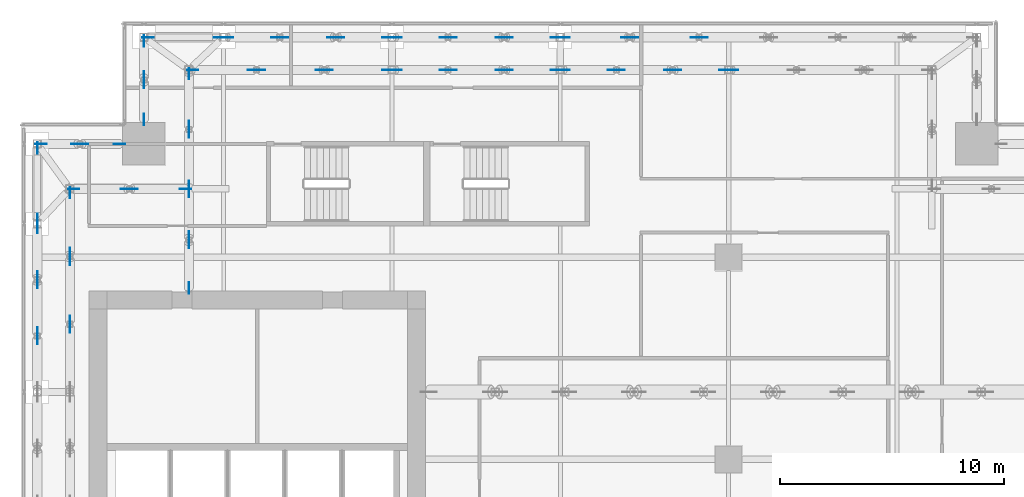
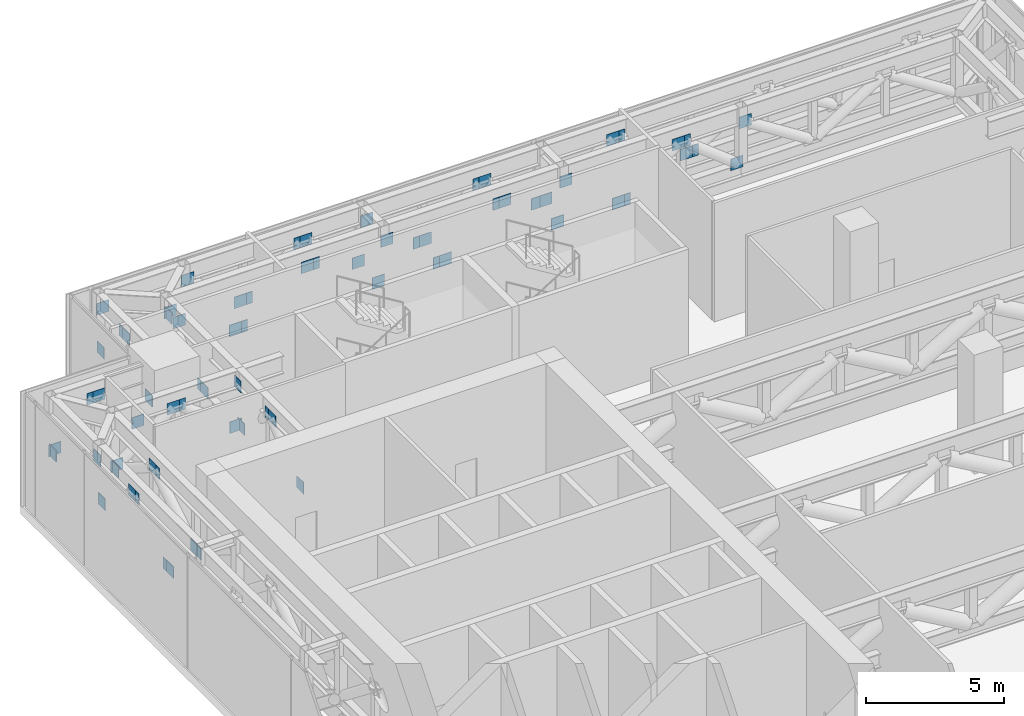
# One storey, part 34 of 36: 70 discrete accessories.
"""IFC4 building model written with IfcOpenShell, lengths in metres."""

from ifc_helpers import new_model, si_unit, direction, frame, origin, origin_2d, place, context, subcontext, project, spatial, rectangle, extrude, source, transform, mapped, material, layer, layer_set, type_object, element, save


model = new_model("IFC4")

# Units and contexts
model_context = context("Model", 3, precision=1e-05, world=origin(), true_north=direction((0.0, 1.0)))
body_context = subcontext(model_context, "Body", "Model", "MODEL_VIEW")
ifc_project = project(units=[si_unit("LENGTHUNIT", "METRE"), si_unit("AREAUNIT", "SQUARE_METRE"), si_unit("VOLUMEUNIT", "CUBIC_METRE"), si_unit("PLANEANGLEUNIT", "RADIAN"), si_unit("MASSUNIT", "GRAM", prefix="KILO")], contexts=[model_context])

# Site, building, storey
site_placement = place(None, origin())
site = spatial("IfcSite", under=ifc_project, at=site_placement, CompositionType="ELEMENT")
building_placement = place(site_placement, origin())
building = spatial("IfcBuilding", under=site, at=building_placement, Name="Khomas Fold Tower", CompositionType="ELEMENT")
storey_placement = place(building_placement, frame((0.0, 0.0, 216.699951171875)))
storey = spatial("IfcBuildingStorey", under=building, at=storey_placement, Name="L48", CompositionType="ELEMENT", Elevation=216.699951171875)

# Discrete accessories
ifc_material = material(Name="Steel S355", Category="steel")
ifc_layer = layer(ifc_material, 0.02490234375)
ifc_layer_set = layer_set([ifc_layer], Name="Steel S355")
discrete_accessory_type = type_object("IfcDiscreteAccessoryType", Name="Gusset plate 25 x 510 GP1", PredefinedType="BRACKET", material=ifc_layer_set)
shared_shape = source(origin(), body_context, "Body", "SweptSolid", [
    extrude(rectangle(XDim=0.510009765625, YDim=0.02490234375, at=origin_2d()), origin(), (0.0, 0.0, 1.0), 0.510009765625),
])
for number, where, z_axis, x_axis, name in (
    (1, (3.699951171875, 36.875, 2.47998046875), (0.0, 0.0, 1.0), (0.0, 1.0, 0.0), "Gusset plate BT3-D"),
    (2, (3.699951171875, 37.125, 2.47998046875), (0.0, 0.0, 1.0), (0.0, 1.0, 0.0), "Gusset plate BT3-D"),
    (3, (3.699951171875, 39.375, 4.2099609375), (0.0, 0.0, 1.0), (0.0, 1.0, 0.0), "Gusset plate BT3-D"),
    (4, (3.699951171875, 39.625, 4.2099609375), (0.0, 0.0, 1.0), (0.0, 1.0, 0.0), "Gusset plate BT3-D"),
    (5, (3.699951171875, 41.824951171875, 2.47998046875), (0.0, 0.0, 1.0), (0.0, 1.0, 0.0), "Gusset plate BT3-D"),
    (6, (3.699951171875, 42.175048828125, 4.2099609375), (0.0, 0.0, 1.0), (0.0, 1.0, 0.0), "Gusset plate BT3-DL"),
    (7, (3.699951171875, 45.375, 2.47998046875), (0.0, 0.0, 1.0), (0.0, 1.0, 0.0), "Gusset plate BT3-DL"),
    (8, (3.875, 45.550048828125, 2.47998046875), (0.0, 0.0, 1.0), (1.0, 0.0, 0.0), "Gusset plate BT3-D"),
    (9, (5.14990234375, 37.3916015625, 2.47998046875), (0.0, 0.0, 1.0), (0.0, 1.0, 0.0), "Gusset plate BT3-D"),
    (10, (5.14990234375, 37.6416015625, 2.47998046875), (0.0, 0.0, 1.0), (0.0, 1.0, 0.0), "Gusset plate BT3-D"),
    (11, (5.14990234375, 40.408447265625, 4.2099609375), (0.0, 0.0, 1.0), (0.0, 1.0, 0.0), "Gusset plate BT3-D"),
    (12, (5.14990234375, 40.658447265625, 4.2099609375), (0.0, 0.0, 1.0), (0.0, 1.0, 0.0), "Gusset plate BT3-D"),
    (13, (5.14990234375, 43.375, 2.47998046875), (0.0, 0.0, 1.0), (0.0, 1.0, 0.0), "Gusset plate BT3-D"),
    (14, (5.324951171875, 43.550048828125, 2.47998046875), (0.0, 0.0, 1.0), (1.0, 0.0, 0.0), "Gusset plate BT3-D"),
    (15, (5.47509765625, 45.550048828125, 4.2099609375), (0.0, 0.0, 1.0), (1.0, 0.0, 0.0), "Gusset plate BT3-D"),
    (16, (5.72509765625, 45.550048828125, 4.2099609375), (0.0, 0.0, 1.0), (1.0, 0.0, 0.0), "Gusset plate BT3-D"),
    (17, (7.358642578125, 45.550048828125, 2.47998046875), (0.0, 0.0, 1.0), (1.0, 0.0, 0.0), "Gusset plate BT3-D"),
    (18, (7.675048828125, 43.550048828125, 4.2099609375), (0.0, 0.0, 1.0), (1.0, 0.0, 0.0), "Gusset plate BT3-D"),
    (19, (7.925048828125, 43.550048828125, 4.2099609375), (0.0, 0.0, 1.0), (1.0, 0.0, 0.0), "Gusset plate BT3-D"),
    (20, (8.449951171875, 46.641357421875, 2.47998046875), (0.0, 0.0, 1.0), (0.0, 1.0, 0.0), "Gusset plate BT3-D"),
    (21, (8.449951171875, 48.27490234375, 4.2099609375), (0.0, 0.0, 1.0), (0.0, 1.0, 0.0), "Gusset plate BT3-D"),
    (22, (8.449951171875, 48.52490234375, 4.2099609375), (0.0, 0.0, 1.0), (0.0, 1.0, 0.0), "Gusset plate BT3-D"),
    (23, (8.449951171875, 50.125, 2.47998046875), (0.0, 0.0, 1.0), (0.0, 1.0, 0.0), "Gusset plate BT3-D"),
    (24, (8.625, 50.300048828125, 4.2099609375), (0.0, 0.0, 1.0), (1.0, 0.0, 0.0), "Gusset plate BT3-DL"),
    (25, (10.300048828125, 43.550048828125, 2.47998046875), (0.0, 0.0, 1.0), (1.0, 0.0, 0.0), "Gusset plate BT3-D"),
    (26, (10.449951171875, 39.126953125, 2.47998046875), (0.0, 0.0, 1.0), (0.0, 1.0, 0.0), "Gusset plate BT3-D"),
    (27, (10.449951171875, 41.14990234375, 4.2099609375), (0.0, 0.0, 1.0), (0.0, 1.0, 0.0), "Gusset plate BT3-D"),
    (28, (10.449951171875, 41.39990234375, 4.2099609375), (0.0, 0.0, 1.0), (0.0, 1.0, 0.0), "Gusset plate BT3-D"),
    (29, (10.449951171875, 43.423095703125, 2.47998046875), (0.0, 0.0, 1.0), (0.0, 1.0, 0.0), "Gusset plate BT3-D"),
    (30, (10.449951171875, 43.664306640625, 4.2099609375), (0.0, 0.0, 1.0), (0.0, 1.0, 0.0), "Gusset plate BT3-D"),
    (31, (10.449951171875, 46.074951171875, 2.47998046875), (0.0, 0.0, 1.0), (0.0, 1.0, 0.0), "Gusset plate BT3-D"),
    (32, (10.449951171875, 46.324951171875, 2.47998046875), (0.0, 0.0, 1.0), (0.0, 1.0, 0.0), "Gusset plate BT3-D"),
    (33, (10.449951171875, 48.675048828125, 4.2099609375), (0.0, 0.0, 1.0), (0.0, 1.0, 0.0), "Gusset plate BT3-D"),
    (34, (10.625, 48.85009765625, 4.2099609375), (0.0, 0.0, 1.0), (1.0, 0.0, 0.0), "Gusset plate BT3-D"),
    (35, (11.824951171875, 50.300048828125, 2.47998046875), (0.0, 0.0, 1.0), (1.0, 0.0, 0.0), "Gusset plate BT3-DL"),
    (36, (12.175048828125, 50.300048828125, 4.2099609375), (0.0, 0.0, 1.0), (1.0, 0.0, 0.0), "Gusset plate BT3-D"),
    (37, (13.341552734375, 48.85009765625, 2.47998046875), (0.0, 0.0, 1.0), (1.0, 0.0, 0.0), "Gusset plate BT3-D"),
    (38, (13.591552734375, 48.85009765625, 2.47998046875), (0.0, 0.0, 1.0), (1.0, 0.0, 0.0), "Gusset plate BT3-D"),
    (39, (14.375, 50.300048828125, 2.47998046875), (0.0, 0.0, 1.0), (1.0, 0.0, 0.0), "Gusset plate BT3-D"),
    (40, (14.625, 50.300048828125, 2.47998046875), (0.0, 0.0, 1.0), (1.0, 0.0, 0.0), "Gusset plate BT3-D"),
    (41, (16.3583984375, 48.85009765625, 4.2099609375), (0.0, 0.0, 1.0), (1.0, 0.0, 0.0), "Gusset plate BT3-D"),
    (42, (16.6083984375, 48.85009765625, 4.2099609375), (0.0, 0.0, 1.0), (1.0, 0.0, 0.0), "Gusset plate BT3-D"),
    (43, (16.875, 50.300048828125, 4.2099609375), (0.0, 0.0, 1.0), (1.0, 0.0, 0.0), "Gusset plate BT3-D"),
    (44, (17.125, 50.300048828125, 4.2099609375), (0.0, 0.0, 1.0), (1.0, 0.0, 0.0), "Gusset plate BT3-D"),
    (45, (19.324951171875, 48.85009765625, 2.47998046875), (0.0, 0.0, 1.0), (1.0, 0.0, 0.0), "Gusset plate BT3-D"),
    (46, (19.324951171875, 50.300048828125, 2.47998046875), (0.0, 0.0, 1.0), (1.0, 0.0, 0.0), "Gusset plate BT3-D"),
    (47, (19.675048828125, 48.85009765625, 4.2099609375), (0.0, 0.0, 1.0), (1.0, 0.0, 0.0), "Gusset plate BT3-D"),
    (48, (19.675048828125, 50.300048828125, 4.2099609375), (0.0, 0.0, 1.0), (1.0, 0.0, 0.0), "Gusset plate BT3-D"),
    (49, (21.875, 48.85009765625, 2.47998046875), (0.0, 0.0, 1.0), (1.0, 0.0, 0.0), "Gusset plate BT3-D"),
    (50, (21.875, 50.300048828125, 2.47998046875), (0.0, 0.0, 1.0), (1.0, 0.0, 0.0), "Gusset plate BT3-D"),
    (51, (22.125, 48.85009765625, 2.47998046875), (0.0, 0.0, 1.0), (1.0, 0.0, 0.0), "Gusset plate BT3-D"),
    (52, (22.125, 50.300048828125, 2.47998046875), (0.0, 0.0, 1.0), (1.0, 0.0, 0.0), "Gusset plate BT3-D"),
    (53, (24.375, 48.85009765625, 4.2099609375), (0.0, 0.0, 1.0), (1.0, 0.0, 0.0), "Gusset plate BT3-D"),
    (54, (24.375, 50.300048828125, 4.2099609375), (0.0, 0.0, 1.0), (1.0, 0.0, 0.0), "Gusset plate BT3-D"),
    (55, (24.625, 48.85009765625, 4.2099609375), (0.0, 0.0, 1.0), (1.0, 0.0, 0.0), "Gusset plate BT3-D"),
    (56, (24.625, 50.300048828125, 4.2099609375), (0.0, 0.0, 1.0), (1.0, 0.0, 0.0), "Gusset plate BT3-D"),
    (57, (26.824951171875, 48.85009765625, 2.47998046875), (0.0, 0.0, 1.0), (1.0, 0.0, 0.0), "Gusset plate BT3-D"),
    (58, (26.824951171875, 50.300048828125, 2.47998046875), (0.0, 0.0, 1.0), (1.0, 0.0, 0.0), "Gusset plate BT3-D"),
    (59, (27.175048828125, 48.85009765625, 4.2099609375), (0.0, 0.0, 1.0), (1.0, 0.0, 0.0), "Gusset plate BT3-D"),
    (60, (27.175048828125, 50.300048828125, 2.47998046875), (0.0, 0.0, 1.0), (1.0, 0.0, 0.0), "Gusset plate BT3-D"),
    (61, (29.375, 48.85009765625, 2.47998046875), (0.0, 0.0, 1.0), (1.0, 0.0, 0.0), "Gusset plate BT3-D"),
    (62, (29.625, 48.85009765625, 2.47998046875), (0.0, 0.0, 1.0), (1.0, 0.0, 0.0), "Gusset plate BT3-D"),
    (63, (29.966552734375, 50.300048828125, 4.2099609375), (0.0, 0.0, 1.0), (1.0, 0.0, 0.0), "Gusset plate BT3-D"),
    (64, (30.216552734375, 50.300048828125, 4.2099609375), (0.0, 0.0, 1.0), (1.0, 0.0, 0.0), "Gusset plate BT3-D"),
    (65, (31.875, 48.85009765625, 4.2099609375), (0.0, 0.0, 1.0), (1.0, 0.0, 0.0), "Gusset plate BT3-D"),
    (66, (32.125, 48.85009765625, 4.2099609375), (0.0, 0.0, 1.0), (1.0, 0.0, 0.0), "Gusset plate BT3-D"),
    (67, (33.058349609375, 50.300048828125, 2.47998046875), (0.0, 0.0, 1.0), (1.0, 0.0, 0.0), "Gusset plate BT3-D"),
    (68, (33.308349609375, 50.300048828125, 2.47998046875), (0.0, 0.0, 1.0), (1.0, 0.0, 0.0), "Gusset plate BT3-D"),
    (69, (34.324951171875, 48.85009765625, 2.47998046875), (0.0, 0.0, 1.0), (1.0, 0.0, 0.0), "Gusset plate BT3-D"),
    (70, (34.675048828125, 48.85009765625, 4.2099609375), (0.0, 0.0, 1.0), (1.0, 0.0, 0.0), "Gusset plate BT3-D"),
):
    element("IfcDiscreteAccessory", number, at=place(storey_placement, frame(where, z_axis=z_axis, x_axis=x_axis)), inside=storey, type_object=discrete_accessory_type, Name=name, PredefinedType="BRACKET", context=body_context, shape_type="MappedRepresentation", body=[
        mapped(shared_shape, transform((0.0, 0.0, 0.0))),
    ])

save(model, "model.ifc")
